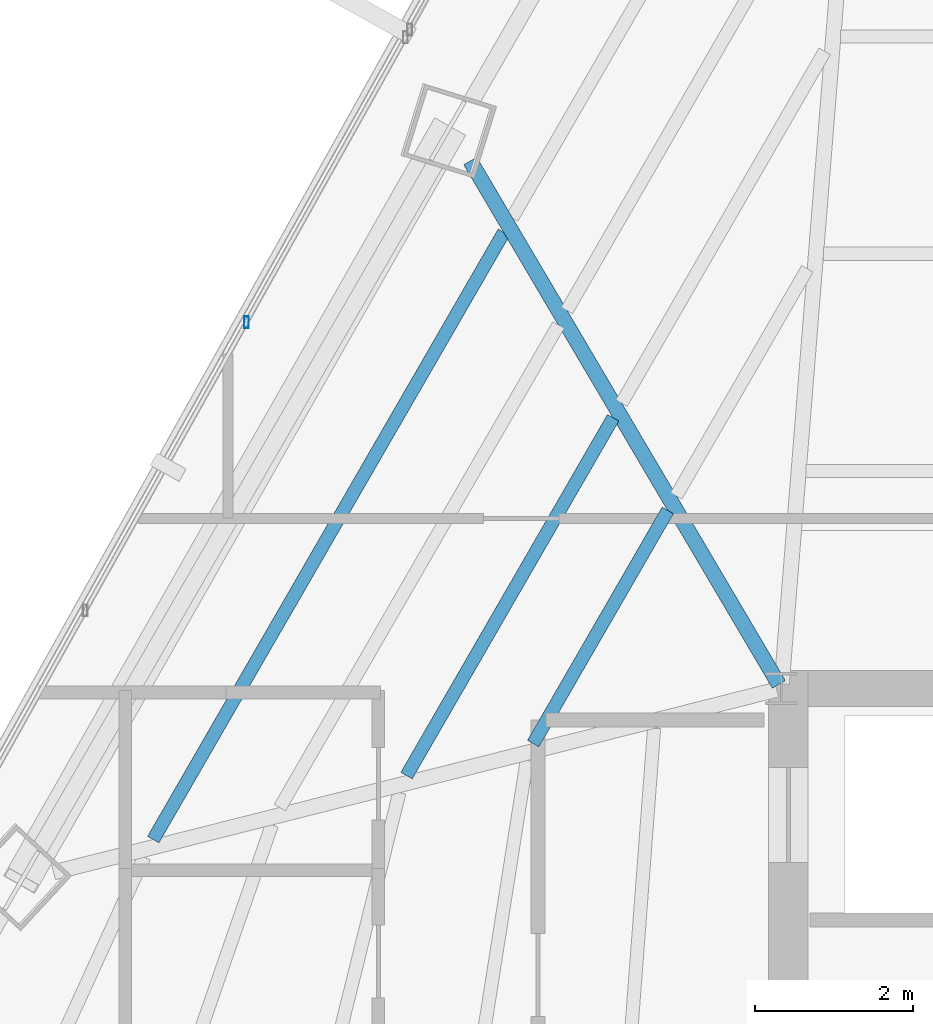
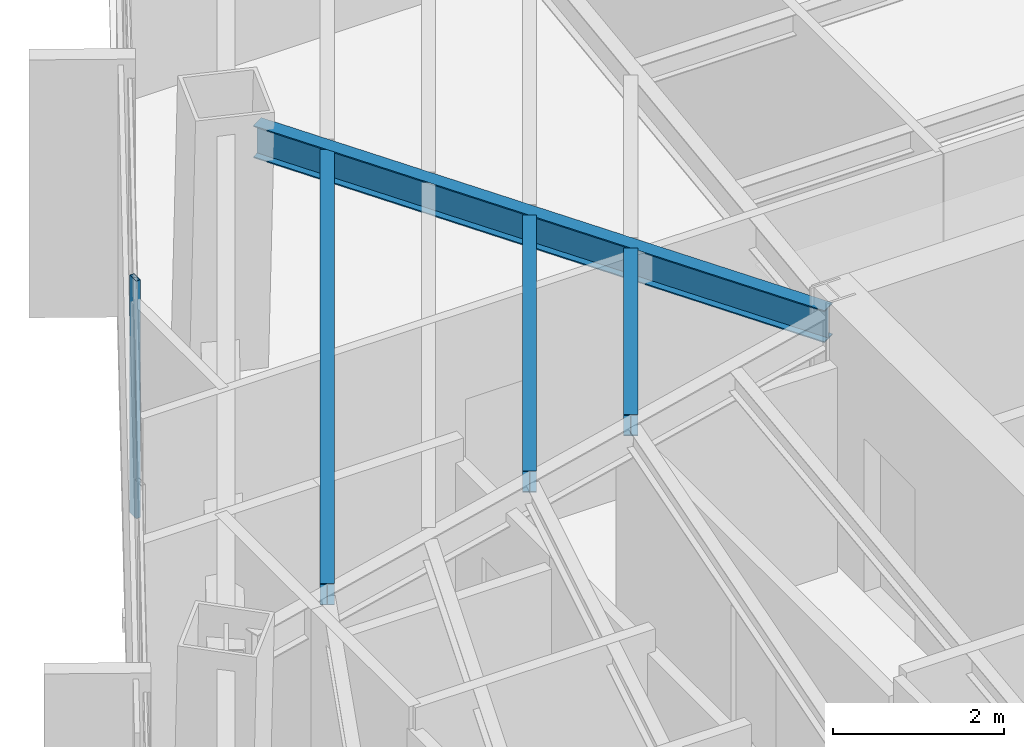
# One storey, part 15 of 38: 4 beams, 1 member, 1 element without a shape of its own.
"""IFC4 building model written with IfcOpenShell, lengths in metres."""

from ifc_helpers import new_model, si_unit, direction, frame, origin, origin_2d, place, context, subcontext, project, spatial, hollow_rectangle, i_section, extrude, source, transform, mapped, material, material_profile, profile_set, type_object, type_shapes, element, aggregate, save


model = new_model("IFC4")

# Units and contexts
model_context = context("Model", 3, precision=1e-05, world=origin(), true_north=direction((0.0, 1.0)))
body_context = subcontext(model_context, "Body", "Model", "MODEL_VIEW")
ifc_project = project(units=[si_unit("LENGTHUNIT", "METRE"), si_unit("AREAUNIT", "SQUARE_METRE"), si_unit("VOLUMEUNIT", "CUBIC_METRE"), si_unit("PLANEANGLEUNIT", "RADIAN"), si_unit("MASSUNIT", "GRAM", prefix="KILO")], contexts=[model_context])

# Site, building, storey
site_placement = place(None, origin())
site = spatial("IfcSite", under=ifc_project, at=site_placement, CompositionType="ELEMENT")
building_placement = place(site_placement, origin())
building = spatial("IfcBuilding", under=site, at=building_placement, Name="Caelisora Broadcast Tower", CompositionType="ELEMENT")
storey_placement = place(building_placement, frame((0.0, 0.0, 154.85009765625)))
storey = spatial("IfcBuildingStorey", under=building, at=storey_placement, Name="L40", CompositionType="ELEMENT", Elevation=154.85009765625)

# Beams
ifc_material_1 = material(Name="Steel Grade 350 (AS/NZS 3679.1)", Category="steel")
ifc_material_profile_1 = material_profile(ifc_material_1, i_section(OverallWidth=0.19091796875, OverallDepth=0.46044921875, WebThickness=0.010009765625, FlangeThickness=0.01611328125, at=origin_2d()), Name="Steel Grade 350 (AS/NZS 3679.1)")
ifc_profile_set_1 = profile_set([ifc_material_profile_1], Name="Steel Grade 350 (AS/NZS 3679.1)")
beam_type_1 = type_object("IfcBeamType", Name="PG06", PredefinedType="BEAM", material=ifc_profile_set_1)
shared_shape_1 = source(origin(), body_context, "Body", "SweptSolid", [
    extrude(i_section(OverallWidth=0.19091796875, OverallDepth=0.46044921875, WebThickness=0.010009765625, FlangeThickness=0.01611328125, at=origin_2d()), origin(), (0.0, 0.0, 1.0), 7.68896484375),
])
type_shapes(beam_type_1, [shared_shape_1])
beam_1_placement = place(storey_placement, frame((30.469482421875, 30.0517578125, 3.169677734375), z_axis=(-0.507971730426, 0.861373740654, 0.0), x_axis=(-0.861373740654, -0.507971730426, 0.0)))
element("IfcBeam", 1, at=beam_1_placement, inside=storey, type_object=beam_type_1, Name="L40 beam PG06", PredefinedType="BEAM", context=body_context, shape_type="MappedRepresentation", body=[
    mapped(shared_shape_1, transform((0.0, 0.0, 0.0), scale=1.0)),
])
ifc_material_profile_2 = material_profile(ifc_material_1, i_section(OverallWidth=0.166015625, OverallDepth=0.30712890625, WebThickness=0.006591796875, FlangeThickness=0.01171875, at=origin_2d()), Name="Steel Grade 350 (AS/NZS 3679.1)")
ifc_profile_set_2 = profile_set([ifc_material_profile_2], Name="Steel Grade 350 (AS/NZS 3679.1)")
beam_type_2 = type_object("IfcBeamType", Name="SB03", PredefinedType="JOIST", material=ifc_profile_set_2)
shared_shape_2 = source(origin(), body_context, "Body", "SweptSolid", [
    extrude(i_section(OverallWidth=0.166015625, OverallDepth=0.30712890625, WebThickness=0.006591796875, FlangeThickness=0.01171875, at=origin_2d()), origin(), (0.0, 0.0, 1.0), 3.40673828125),
])
beam_2_placement = place(storey_placement, frame((29.0634765625, 32.253173828125, 3.246337890625), z_axis=(-0.500016089749, -0.866016114164, 0.0), x_axis=(0.866016114164, -0.500016089749, 0.0)))
element("IfcBeam", 2, at=beam_2_placement, inside=storey, type_object=beam_type_2, Name="L40 beam SB03", PredefinedType="JOIST", context=body_context, shape_type="MappedRepresentation", body=[
    mapped(shared_shape_2, transform((0.0, 0.0, 0.0), scale=1.0)),
])
shared_shape_3 = source(origin(), body_context, "Body", "SweptSolid", [
    extrude(i_section(OverallWidth=0.166015625, OverallDepth=0.30712890625, WebThickness=0.006591796875, FlangeThickness=0.01171875, at=origin_2d()), origin(), (0.0, 0.0, 1.0), 5.22802734375),
])
beam_3_placement = place(storey_placement, frame((28.371826171875, 33.42578125, 3.246337890625), z_axis=(-0.500001374964, -0.866024609947, 0.0), x_axis=(0.866024609947, -0.500001374964, 0.0)))
element("IfcBeam", 3, at=beam_3_placement, inside=storey, type_object=beam_type_2, Name="L40 beam SB03", PredefinedType="JOIST", context=body_context, shape_type="MappedRepresentation", body=[
    mapped(shared_shape_3, transform((0.0, 0.0, 0.0), scale=1.0)),
])
shared_shape_4 = source(origin(), body_context, "Body", "SweptSolid", [
    extrude(i_section(OverallWidth=0.166015625, OverallDepth=0.30712890625, WebThickness=0.006591796875, FlangeThickness=0.01171875, at=origin_2d()), origin(), (0.0, 0.0, 1.0), 8.871337890625),
])
type_shapes(beam_type_2, [shared_shape_2, shared_shape_3, shared_shape_4])
beam_4_placement = place(storey_placement, frame((26.988525390625, 35.771240234375, 3.246337890625), z_axis=(-0.500007520711, -0.866021061657, 0.0), x_axis=(0.866021061657, -0.500007520711, 0.0)))
element("IfcBeam", 4, at=beam_4_placement, inside=storey, type_object=beam_type_2, Name="L40 beam SB03", PredefinedType="JOIST", context=body_context, shape_type="MappedRepresentation", body=[
    mapped(shared_shape_4, transform((0.0, 0.0, 0.0), scale=1.0)),
])

# Curtain wall, member
ifc_material_2 = material(Name="Unitised Aluminium Insulated Shadow-Box Spandrel Curtain Wall", Category="aluminium")
curtain_wall_type = type_object("IfcCurtainWallType", Name="CW-SP2", PredefinedType="NOTDEFINED", material=ifc_material_2)
curtain_wall_placement = place(storey_placement, origin())
curtain_wall = element("IfcCurtainWall", 5, at=curtain_wall_placement, inside=storey, type_object=curtain_wall_type, Name="L40 curtain wall CW-SP2", PredefinedType="NOTDEFINED")
ifc_material_3 = material(Name="Aluminium 6063-T6 Anodised Terracotta Bronze", Category="aluminium")
ifc_material_profile_3 = material_profile(ifc_material_3, hollow_rectangle(XDim=0.06005859375, YDim=0.14990234375, WallThickness=0.00341796875, at=origin_2d()), Name="Aluminium 6063-T6 Anodised Terracotta Bronze")
ifc_profile_set_3 = profile_set([ifc_material_profile_3], Name="Aluminium 6063-T6 Anodised Terracotta Bronze")
member_type = type_object("IfcMemberType", Name="CWM-03", PredefinedType="MULLION", material=ifc_profile_set_3)
shared_shape_5 = source(origin(), body_context, "Body", "SweptSolid", [
    extrude(hollow_rectangle(XDim=0.06005859375, YDim=0.14990234375, WallThickness=0.00341796875, at=origin_2d()), origin(), (0.0, 0.0, 1.0), 3.39990234375),
])
type_shapes(member_type, [shared_shape_5])
member_placement = place(storey_placement, frame((23.7314453125, 34.634521484375, 0.0), z_axis=(0.0, 0.0, 1.0), x_axis=(1.0, 0.0, 0.0)))
member = element("IfcMember", 6, at=member_placement, type_object=member_type, Name="L40-CW-B10 mullion #2", PredefinedType="MULLION", context=body_context, shape_type="MappedRepresentation", body=[
    mapped(shared_shape_5, transform((0.0, 0.0, 0.0), scale=1.0)),
])
aggregate(curtain_wall, [member])

save(model, "model.ifc")
